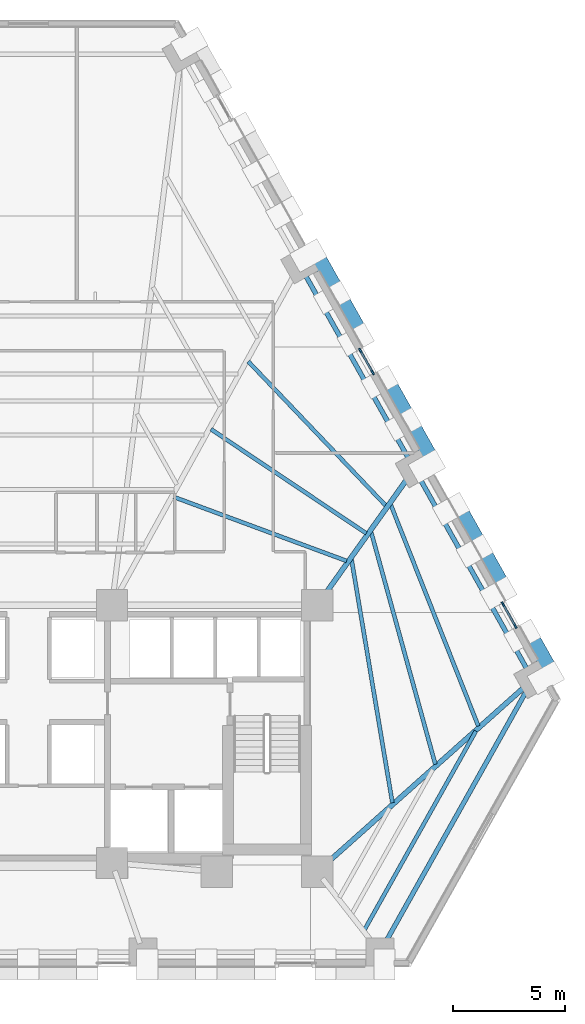
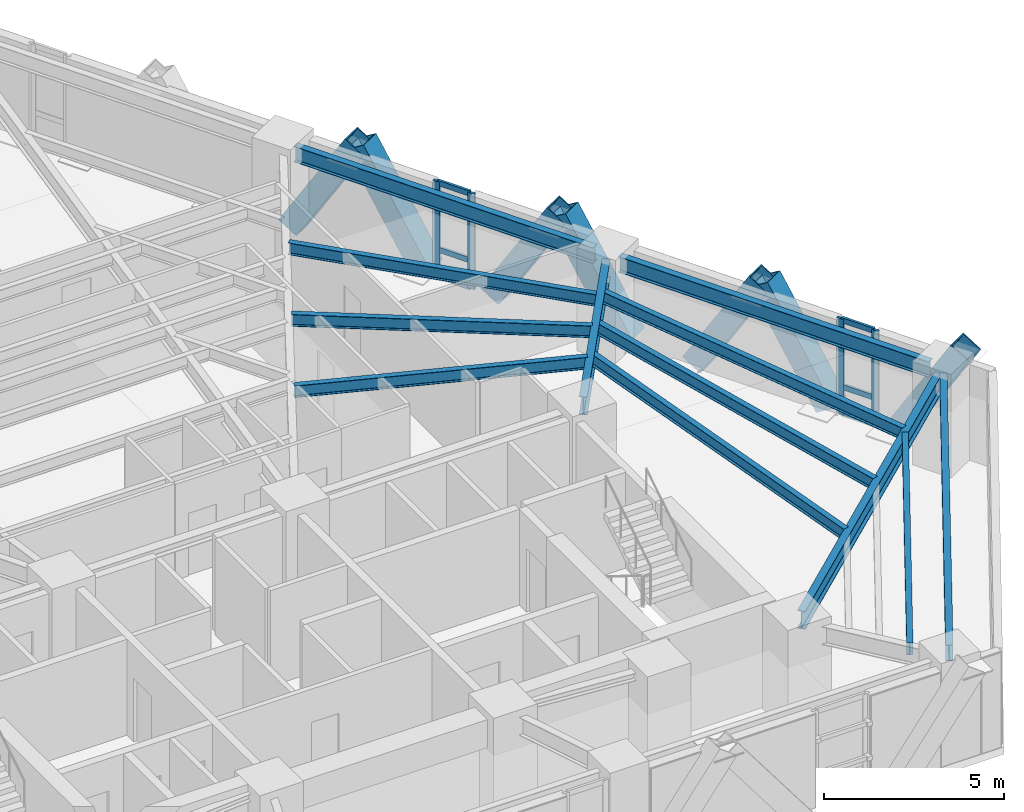
# One storey, part 4 of 13: 17 members, 12 beams, 2 elements without a shape of their own.
"""IFC4 building model written with IfcOpenShell, lengths in metres."""

import ifcopenshell
import ifcopenshell.guid

model = None  # the IFC model being written
_history = None  # IfcOwnerHistory: only IFC2X3 demands one
_inside = {}  # id of a spatial element -> (the spatial element, [elements in it])
_under = {}  # id of a project, library or spatial element -> (it, [spatial elements below it])
_declared = {}  # id of a project -> (the project, [libraries it declares])
_typed = {}  # id of a type object -> (the type object, [elements of that type])
_made_of = {}  # id of a material, layer set ... -> (it, [elements and type objects made of it])


def new_model(schema):
    """Start an empty IFC model of exactly this schema.

    Asked for "IFC4X3", IfcOpenShell would pick the latest addendum, in which some entities
    have other attributes; the version numbers below select the first issue.
    IFC2X3 requires an IfcOwnerHistory on every rooted entity: one is made here for all.
    """
    global model, _history
    if schema == "IFC4X3":
        model = ifcopenshell.file(schema_version=(4, 3, 0, 0))
    else:
        model = ifcopenshell.file(schema=schema)
    _inside.clear()
    _under.clear()
    _declared.clear()
    _typed.clear()
    _made_of.clear()
    _history = None
    if model.schema == "IFC2X3":
        org = make("IfcOrganization", Name="unknown")
        user = make(
            "IfcPersonAndOrganization",
            ThePerson=make("IfcPerson", FamilyName="unknown"),
            TheOrganization=org,
        )
        app = make(
            "IfcApplication",
            ApplicationDeveloper=org,
            Version="unknown",
            ApplicationFullName="unknown",
            ApplicationIdentifier="unknown",
        )
        _history = make(
            "IfcOwnerHistory",
            OwningUser=user,
            OwningApplication=app,
            ChangeAction="ADDED",
            CreationDate=0,
        )
    return model


def make(cls, **values):
    """One entity of the class cls with the attributes given. An attribute that is None is left unset."""
    return model.create_entity(
        cls, **{name: value for name, value in values.items() if value is not None}
    )


def rooted(cls, **values):
    """An entity with a GlobalId (a new one), such as an element, a storey or a relation."""
    return make(cls, GlobalId=ifcopenshell.guid.new(), OwnerHistory=_history, **values)


def si_unit(unit_type, name, prefix=None):
    """IfcSIUnit, for example si_unit("LENGTHUNIT", "METRE", prefix="MILLI")."""
    return make("IfcSIUnit", UnitType=unit_type, Prefix=prefix, Name=name)


def assignment(units):
    """IfcUnitAssignment: the units of a project."""
    return None if units is None else make("IfcUnitAssignment", Units=units)


def point(xyz):
    """IfcCartesianPoint."""
    return None if xyz is None else make("IfcCartesianPoint", Coordinates=xyz)


def direction(xyz):
    """IfcDirection."""
    return None if xyz is None else make("IfcDirection", DirectionRatios=xyz)


def frame(location, z_axis=None, x_axis=None):
    """IfcAxis2Placement3D, a coordinate frame: its origin and axes. An axis left out is left unset."""
    return make(
        "IfcAxis2Placement3D",
        Location=point(location),
        Axis=direction(z_axis),
        RefDirection=direction(x_axis),
    )


def frame_2d(location, x_axis=None):
    """IfcAxis2Placement2D, a coordinate frame in the plane: its origin and x axis."""
    return make(
        "IfcAxis2Placement2D", Location=point(location), RefDirection=direction(x_axis)
    )


def origin():
    """The frame at (0, 0, 0) with its axes left unset."""
    return frame((0.0, 0.0, 0.0))


def origin_2d():
    """The frame at (0, 0) in the plane with its x axis left unset."""
    return frame_2d((0.0, 0.0))


def place(relative_to, where):
    """IfcLocalPlacement: puts the frame where relative to a parent placement (None: the world)."""
    return make(
        "IfcLocalPlacement", PlacementRelTo=relative_to, RelativePlacement=where
    )


def context(
    kind, dimensions, precision=None, world=None, true_north=None, identifier=None
):
    """IfcGeometricRepresentationContext, for example the 3D "Model" context."""
    return make(
        "IfcGeometricRepresentationContext",
        ContextIdentifier=identifier,
        ContextType=kind,
        CoordinateSpaceDimension=dimensions,
        Precision=precision,
        WorldCoordinateSystem=world,
        TrueNorth=true_north,
    )


def subcontext(parent, identifier, kind, view, scale=None):
    """IfcGeometricRepresentationSubContext, for example "Body" below "Model"."""
    return make(
        "IfcGeometricRepresentationSubContext",
        ContextIdentifier=identifier,
        ContextType=kind,
        ParentContext=parent,
        TargetScale=scale,
        TargetView=view,
    )


def project(units=None, contexts=None):
    """IfcProject with its units and contexts."""
    return rooted(
        "IfcProject",
        Name="project",
        RepresentationContexts=contexts,
        UnitsInContext=assignment(units),
    )


def spatial(cls, under=None, at=None, **own):
    """A site, building, storey or space (cls), placed at a placement, below another one or the project."""
    s = rooted(cls, ObjectPlacement=at, **own)
    if under is not None:
        _under.setdefault(under.id(), (under, []))[1].append(s)
    return s


def profile(cls, at=None, kind="AREA", **sizes):
    """A parametric profile (cls). Its sizes go by their IFC names, for example OverallWidth=200.0."""
    return make(cls, ProfileType=kind, Position=at, **sizes)


def rectangle(**sizes):
    """IfcRectangleProfileDef."""
    return profile("IfcRectangleProfileDef", **sizes)


def hollow_rectangle(**sizes):
    """IfcRectangleHollowProfileDef."""
    return profile("IfcRectangleHollowProfileDef", **sizes)


def i_section(**sizes):
    """IfcIShapeProfileDef."""
    return profile("IfcIShapeProfileDef", **sizes)


def extrude(swept, where, along, depth):
    """IfcExtrudedAreaSolid: the profile swept, set in the frame where, extruded along a direction by depth."""
    return make(
        "IfcExtrudedAreaSolid",
        SweptArea=swept,
        Position=where,
        ExtrudedDirection=direction(along),
        Depth=depth,
    )


def shape(context_of_items, identifier, shape_type, items):
    """IfcShapeRepresentation: the items that make up one representation, for example the "Body"."""
    return make(
        "IfcShapeRepresentation",
        ContextOfItems=context_of_items,
        RepresentationIdentifier=identifier,
        RepresentationType=shape_type,
        Items=items,
    )


def material(Name=None, Category=None):
    """IfcMaterial."""
    return make("IfcMaterial", Name=Name, Category=Category)


def material_profile(
    of_material, cross_section, Name=None, Category=None, Priority=None
):
    """IfcMaterialProfile: a cross section and its material."""
    return make(
        "IfcMaterialProfile",
        Name=Name,
        Material=of_material,
        Profile=cross_section,
        Priority=Priority,
        Category=Category,
    )


def profile_set(profiles, Name=None, composite=None):
    """IfcMaterialProfileSet."""
    return make(
        "IfcMaterialProfileSet",
        Name=Name,
        MaterialProfiles=profiles,
        CompositeProfile=composite,
    )


def made_of(thing, what):
    """Note that an element or type object is made of a material, layer set ...; save() writes the relation."""
    if what is not None:
        _made_of.setdefault(what.id(), (what, []))[1].append(thing)
    return thing


def type_object(cls, material=None, **own):
    """A type object (cls), such as IfcWallType, which elements share."""
    return made_of(rooted(cls, **own), material)


def element(
    cls,
    number,
    at=None,
    inside=None,
    cuts=None,
    type_object=None,
    material=None,
    context=None,
    identifier="Body",
    shape_type=None,
    held_by="IfcProductDefinitionShape",
    body=None,
    shapes=None,
    **own,
):
    """One element of the class cls, such as IfcWall. Its Tag is "e" and its number.

    at: its placement. inside: the storey or other place that contains it. cuts: it is an
    opening in that element (IfcRelVoidsElement). A single representation is given by context,
    identifier, shape_type and body (its items); several are given by shapes. held_by: the class
    of the entity that holds the representations. save() writes the other relations.
    """
    e = rooted(cls, Tag="e%d" % number, ObjectPlacement=at, **own)
    if body is not None:
        shapes = [shape(context, identifier, shape_type, body)]
    if shapes is not None:
        e.Representation = make(held_by, Representations=shapes)
    if inside is not None:
        _inside.setdefault(inside.id(), (inside, []))[1].append(e)
    if cuts is not None:
        rooted(
            "IfcRelVoidsElement", RelatingBuildingElement=cuts, RelatedOpeningElement=e
        )
    if type_object is not None:
        _typed.setdefault(type_object.id(), (type_object, []))[1].append(e)
    return made_of(e, material)


def aggregate(whole, parts):
    """IfcRelAggregates: a whole, such as a stair, and the parts it consists of."""
    return rooted("IfcRelAggregates", RelatingObject=whole, RelatedObjects=parts)


def save(model, path):
    """Write the relations noted so far, then the file.

    IfcRelAggregates (storeys below a building ...), IfcRelContainedInSpatialStructure (elements
    in a storey), IfcRelDefinesByType, IfcRelAssociatesMaterial and IfcRelDeclares: one each for
    every whole, place, type object, material and project.
    """
    for whole, parts in _under.values():
        aggregate(whole, parts)
    for where, things in _inside.values():
        rooted(
            "IfcRelContainedInSpatialStructure",
            RelatedElements=things,
            RelatingStructure=where,
        )
    for kind, things in _typed.values():
        rooted("IfcRelDefinesByType", RelatedObjects=things, RelatingType=kind)
    for what, things in _made_of.values():
        rooted("IfcRelAssociatesMaterial", RelatedObjects=things, RelatingMaterial=what)
    for by, libraries in _declared.values():
        rooted("IfcRelDeclares", RelatingContext=by, RelatedDefinitions=libraries)
    model.write(path)


model = new_model("IFC4")

# Units and contexts
model_context = context("Model", 3, precision=1e-05, world=origin(), true_north=direction((0.0, 1.0)))
body_context = subcontext(model_context, "Body", "Model", "MODEL_VIEW")
ifc_project = project(units=[si_unit("LENGTHUNIT", "METRE"), si_unit("AREAUNIT", "SQUARE_METRE"), si_unit("VOLUMEUNIT", "CUBIC_METRE"), si_unit("PLANEANGLEUNIT", "RADIAN"), si_unit("MASSUNIT", "GRAM", prefix="KILO")], contexts=[model_context])

# Site, building, storey
site_placement = place(None, origin())
site = spatial("IfcSite", under=ifc_project, at=site_placement, CompositionType="ELEMENT")
building_placement = place(site_placement, origin())
building = spatial("IfcBuilding", under=site, at=building_placement, Name="Quenlor Broadcast Tower", CompositionType="ELEMENT")
storey_placement = place(building_placement, frame((0.0, 0.0, 55.60009765625)))
storey = spatial("IfcBuildingStorey", under=building, at=storey_placement, Name="L14", CompositionType="ELEMENT", Elevation=55.60009765625)

# Curtain wall, members
ifc_material_1 = material(Name="Architectural Terracotta and Low-E Glazing", Category="masonry")
curtain_wall_type = type_object("IfcCurtainWallType", Name="Unitised Terracotta Curtain Wall System Z1", PredefinedType="NOTDEFINED", material=ifc_material_1)
curtain_wall_1_placement = place(storey_placement, origin())
curtain_wall_1 = element("IfcCurtainWall", 1, at=curtain_wall_1_placement, inside=storey, type_object=curtain_wall_type, Name="L14 Curtain Wall CW1 (L14-NEC-G1)", PredefinedType="NOTDEFINED")
ifc_material_2 = material(Name="Aluminium 6063-T6", Category="aluminium")
ifc_material_profile_1 = material_profile(ifc_material_2, rectangle(XDim=0.080078125, YDim=0.219970703125, at=origin_2d()))
ifc_profile_set_1 = profile_set([ifc_material_profile_1], Name="Aluminium 6063-T6 MULL80x220")
member_type_1 = type_object("IfcMemberType", Name="CW1 Aluminium Mullion MULL_CW1", PredefinedType="MULLION", material=ifc_profile_set_1)
member_1_placement = place(storey_placement, frame((21.277587890625, -4.75341796875, 0.0), z_axis=(0.0, 0.0, 1.0), x_axis=(0.871602077703, 0.490214053392, 0.0)))
member_1 = element("IfcMember", 2, at=member_1_placement, type_object=member_type_1, Name="CW1 mullion 1", PredefinedType="MULLION", context=body_context, shape_type="SweptSolid", body=[
    extrude(rectangle(XDim=0.080078125, YDim=0.219970703125, at=origin_2d()), origin(), (0.0, 0.0, 1.0), 3.25),
])
member_2_placement = place(storey_placement, frame((21.830322265625, -5.736083984375, 0.0), z_axis=(0.0, 0.0, 1.0), x_axis=(0.871602077703, 0.490214053392, 0.0)))
member_2 = element("IfcMember", 3, at=member_2_placement, type_object=member_type_1, Name="CW1 mullion 2", PredefinedType="MULLION", context=body_context, shape_type="SweptSolid", body=[
    extrude(rectangle(XDim=0.080078125, YDim=0.219970703125, at=origin_2d()), origin(), (0.0, 0.0, 1.0), 3.25),
])

curtain_wall_2_placement = place(storey_placement, origin())
curtain_wall_2 = element("IfcCurtainWall", 4, at=curtain_wall_2_placement, inside=storey, type_object=curtain_wall_type, Name="L14 Curtain Wall CW1 (L14-NE-G1)", PredefinedType="NOTDEFINED")
member_3_placement = place(storey_placement, frame((14.884033203125, 6.613037109375, 0.0), z_axis=(0.0, 0.0, 1.0), x_axis=(0.871566690057, 0.49027696742, 0.0)))
member_3 = element("IfcMember", 5, at=member_3_placement, type_object=member_type_1, Name="CW1 mullion 1", PredefinedType="MULLION", context=body_context, shape_type="SweptSolid", body=[
    extrude(rectangle(XDim=0.080078125, YDim=0.219970703125, at=origin_2d()), origin(), (0.0, 0.0, 1.0), 3.25),
])
member_4_placement = place(storey_placement, frame((15.436767578125, 5.63037109375, 0.0), z_axis=(0.0, 0.0, 1.0), x_axis=(0.871566690057, 0.49027696742, 0.0)))
member_4 = element("IfcMember", 6, at=member_4_placement, type_object=member_type_1, Name="CW1 mullion 2", PredefinedType="MULLION", context=body_context, shape_type="SweptSolid", body=[
    extrude(rectangle(XDim=0.080078125, YDim=0.219970703125, at=origin_2d()), origin(), (0.0, 0.0, 1.0), 3.25),
])

# Member
ifc_material_3 = material(Name="Aluminium 6063-T6", Category="aluminium")
ifc_material_profile_2 = material_profile(ifc_material_3, rectangle(XDim=0.080078125, YDim=0.179931640625, at=origin_2d()))
ifc_profile_set_2 = profile_set([ifc_material_profile_2], Name="Aluminium 6063-T6 TRAN80x180")
member_type_2 = type_object("IfcMemberType", Name="CW1 Aluminium Transom TRAN_CW1", PredefinedType="USERDEFINED", material=ifc_profile_set_2)
member_5_placement = place(storey_placement, frame((21.29736328125, -4.788330078125, 0.039794921875), z_axis=(0.490228036821, -0.871594212874, 0.0), x_axis=(0.871594212874, 0.490228036821, 0.0)))
member_5 = element("IfcMember", 7, at=member_5_placement, type_object=member_type_2, Name="CW1 transom 1.1", ObjectType="TRANSOM", PredefinedType="USERDEFINED", context=body_context, shape_type="SweptSolid", body=[
    extrude(rectangle(XDim=0.080078125, YDim=0.179931640625, at=origin_2d()), origin(), (0.0, 0.0, 1.0), 1.04736328125),
])

member_6_placement = place(storey_placement, frame((21.29736328125, -4.788330078125, 0.949951171875), z_axis=(0.490228036821, -0.871594212874, 0.0), x_axis=(0.871594212874, 0.490228036821, 0.0)))
member_6 = element("IfcMember", 8, at=member_6_placement, type_object=member_type_2, Name="CW1 transom 1.2", ObjectType="TRANSOM", PredefinedType="USERDEFINED", context=body_context, shape_type="SweptSolid", body=[
    extrude(rectangle(XDim=0.080078125, YDim=0.179931640625, at=origin_2d()), origin(), (0.0, 0.0, 1.0), 1.04736328125),
])

member_7_placement = place(storey_placement, frame((21.29736328125, -4.788330078125, 3.2099609375), z_axis=(0.490228036821, -0.871594212874, 0.0), x_axis=(0.871594212874, 0.490228036821, 0.0)))
member_7 = element("IfcMember", 9, at=member_7_placement, type_object=member_type_2, Name="CW1 transom 1.3", ObjectType="TRANSOM", PredefinedType="USERDEFINED", context=body_context, shape_type="SweptSolid", body=[
    extrude(rectangle(XDim=0.080078125, YDim=0.179931640625, at=origin_2d()), origin(), (0.0, 0.0, 1.0), 1.04736328125),
])

aggregate(curtain_wall_1, [member_1, member_2, member_5, member_6, member_7])

member_8_placement = place(storey_placement, frame((14.90380859375, 6.578125, 0.039794921875), z_axis=(0.490128451098, -0.87165021736, 0.0), x_axis=(0.87165021736, 0.490128451098, 0.0)))
member_8 = element("IfcMember", 10, at=member_8_placement, type_object=member_type_2, Name="CW1 transom 1.1", ObjectType="TRANSOM", PredefinedType="USERDEFINED", context=body_context, shape_type="SweptSolid", body=[
    extrude(rectangle(XDim=0.080078125, YDim=0.179931640625, at=origin_2d()), origin(), (0.0, 0.0, 1.0), 1.047607421875),
])

member_9_placement = place(storey_placement, frame((14.90380859375, 6.578125, 0.949951171875), z_axis=(0.490128451098, -0.87165021736, 0.0), x_axis=(0.87165021736, 0.490128451098, 0.0)))
member_9 = element("IfcMember", 11, at=member_9_placement, type_object=member_type_2, Name="CW1 transom 1.2", ObjectType="TRANSOM", PredefinedType="USERDEFINED", context=body_context, shape_type="SweptSolid", body=[
    extrude(rectangle(XDim=0.080078125, YDim=0.179931640625, at=origin_2d()), origin(), (0.0, 0.0, 1.0), 1.047607421875),
])

member_10_placement = place(storey_placement, frame((14.90380859375, 6.578125, 3.2099609375), z_axis=(0.490128451098, -0.87165021736, 0.0), x_axis=(0.87165021736, 0.490128451098, 0.0)))
member_10 = element("IfcMember", 12, at=member_10_placement, type_object=member_type_2, Name="CW1 transom 1.3", ObjectType="TRANSOM", PredefinedType="USERDEFINED", context=body_context, shape_type="SweptSolid", body=[
    extrude(rectangle(XDim=0.080078125, YDim=0.179931640625, at=origin_2d()), origin(), (0.0, 0.0, 1.0), 1.047607421875),
])

aggregate(curtain_wall_2, [member_3, member_4, member_8, member_9, member_10])

# Members
ifc_material_4 = material(Name="Steel S355", Category="steel")
ifc_material_profile_3 = material_profile(ifc_material_4, hollow_rectangle(XDim=0.679931640625, YDim=0.679931640625, WallThickness=0.034912109375, at=origin_2d()))
ifc_profile_set_3 = profile_set([ifc_material_profile_3], Name="Steel S355 RHS680x680x35")
member_type_3 = type_object("IfcMemberType", Name="Perimeter Diagonal Lattice Brace Z1 Steel S355 RHS680x35", PredefinedType="BRACE", material=ifc_profile_set_3)
for number, where, z_axis, x_axis, name in (
    (13, (12.84716796875, 11.039794921875, -0.1201171875), (0.256375341489, -0.45579159737, 0.852364771705), (0.871581609758, 0.490250443683, 0.0), "L14 Perimeter Diamond Lattice NE-C2S"),
    (14, (16.0439453125, 5.356689453125, -0.1201171875), (0.256375341489, -0.45579159737, 0.852364771705), (0.871581609758, 0.490250443683, 0.0), "L14 Perimeter Diamond Lattice NE-C3S"),
):
    element("IfcMember", number, at=place(storey_placement, frame(where, z_axis=z_axis, x_axis=x_axis)), inside=storey, type_object=member_type_3, Name=name, PredefinedType="BRACE", context=body_context, shape_type="SweptSolid", body=[
        extrude(hollow_rectangle(XDim=0.679931640625, YDim=0.679931640625, WallThickness=0.034912109375, at=origin_2d()), origin(), (0.0, 0.0, 1.0), 4.106201171875),
    ])
member_11_placement = place(storey_placement, frame((14.965576171875, 7.273681640625, -0.1201171875), z_axis=(-0.256368393635, 0.455838699906, 0.852341672343), x_axis=(-0.871608931644, -0.490201866865, 0.0)))
element("IfcMember", 15, at=member_11_placement, inside=storey, type_object=member_type_3, Name="L14 Perimeter Diamond Lattice NE-C3B", PredefinedType="BRACE", context=body_context, shape_type="SweptSolid", body=[
    extrude(hollow_rectangle(XDim=0.679931640625, YDim=0.679931640625, WallThickness=0.034912109375, at=origin_2d()), origin(), (0.0, 0.0, 1.0), 4.1064453125),
])
for number, where, z_axis, x_axis, name in (
    (16, (19.24072265625, -0.326416015625, -0.1201171875), (0.256375341489, -0.45579159737, 0.852364771705), (0.871581609758, 0.490250443683, 0.0), "L14 Perimeter Diamond Lattice NE-C4S"),
    (17, (18.162353515625, 1.5908203125, -0.1201171875), (-0.256375341489, 0.45579159737, 0.852364771705), (-0.871581609758, -0.490250443683, 0.0), "L14 Perimeter Diamond Lattice NE-C4B"),
):
    element("IfcMember", number, at=place(storey_placement, frame(where, z_axis=z_axis, x_axis=x_axis)), inside=storey, type_object=member_type_3, Name=name, PredefinedType="BRACE", context=body_context, shape_type="SweptSolid", body=[
        extrude(hollow_rectangle(XDim=0.679931640625, YDim=0.679931640625, WallThickness=0.034912109375, at=origin_2d()), origin(), (0.0, 0.0, 1.0), 4.106201171875),
    ])
member_12_placement = place(storey_placement, frame((22.4375, -6.009521484375, -0.1201171875), z_axis=(0.256368393635, -0.455838699906, 0.852341672343), x_axis=(0.871608931644, 0.490201866865, 0.0)))
element("IfcMember", 18, at=member_12_placement, inside=storey, type_object=member_type_3, Name="L14 Perimeter Diamond Lattice NE-C5S", PredefinedType="BRACE", context=body_context, shape_type="SweptSolid", body=[
    extrude(hollow_rectangle(XDim=0.679931640625, YDim=0.679931640625, WallThickness=0.034912109375, at=origin_2d()), origin(), (0.0, 0.0, 1.0), 4.1064453125),
])
member_13_placement = place(storey_placement, frame((21.359130859375, -4.092529296875, -0.1201171875), z_axis=(-0.256375341489, 0.45579159737, 0.852364771705), x_axis=(-0.871581609758, -0.490250443683, 0.0)))
element("IfcMember", 19, at=member_13_placement, inside=storey, type_object=member_type_3, Name="L14 Perimeter Diamond Lattice NE-C5B", PredefinedType="BRACE", context=body_context, shape_type="SweptSolid", body=[
    extrude(hollow_rectangle(XDim=0.679931640625, YDim=0.679931640625, WallThickness=0.034912109375, at=origin_2d()), origin(), (0.0, 0.0, 1.0), 4.106201171875),
])

# Beams
ifc_material_5 = material(Name="Steel S355", Category="steel")
ifc_material_profile_4 = material_profile(ifc_material_5, i_section(OverallWidth=0.208984375, OverallDepth=0.532958984375, WebThickness=0.01025390625, FlangeThickness=0.015625, FilletRadius=0.013916015625, at=origin_2d()))
ifc_profile_set_4 = profile_set([ifc_material_profile_4], Name="Steel S355 530UB92.4")
beam_type_1 = type_object("IfcBeamType", Name="Perimeter Spandrel Beam Z1 Steel S355 530UB92.4", PredefinedType="SPANDREL", material=ifc_profile_set_4)
beam_1_placement = place(storey_placement, frame((15.965576171875, -19.992431640625, 2.9833984375), z_axis=(0.489090917871, 0.87223280955, 0.0), x_axis=(-0.87223280955, 0.489090917871, 0.0)))
element("IfcBeam", 20, at=beam_1_placement, inside=storey, type_object=beam_type_1, Name="L14 Spandrel Beam S4-NE1", PredefinedType="SPANDREL", context=body_context, shape_type="SweptSolid", body=[
    extrude(i_section(OverallWidth=0.208984375, OverallDepth=0.532958984375, WebThickness=0.01025390625, FlangeThickness=0.015625, FilletRadius=0.013916015625, at=origin_2d()), origin(), (0.0, 0.0, 1.0), 13.187744140625),
])
beam_2_placement = place(storey_placement, frame((22.4150390625, -7.77490234375, 2.9833984375), z_axis=(-0.490257767622, 0.871577490121, 0.0), x_axis=(-0.871577490121, -0.490257767622, 0.0)))
element("IfcBeam", 21, at=beam_2_placement, inside=storey, type_object=beam_type_1, Name="L14 Spandrel Beam NE1-NE2", PredefinedType="SPANDREL", context=body_context, shape_type="SweptSolid", body=[
    extrude(i_section(OverallWidth=0.208984375, OverallDepth=0.532958984375, WebThickness=0.01025390625, FlangeThickness=0.015625, FilletRadius=0.013916015625, at=origin_2d()), origin(), (0.0, 0.0, 1.0), 10.015380859375),
])
beam_3_placement = place(storey_placement, frame((17.102783203125, 1.6689453125, 2.9833984375), z_axis=(-0.490257642051, 0.871577560755, 0.0), x_axis=(-0.871577560755, -0.490257642051, 0.0)))
element("IfcBeam", 22, at=beam_3_placement, inside=storey, type_object=beam_type_1, Name="L14 Spandrel Beam NE2-NE3", PredefinedType="SPANDREL", context=body_context, shape_type="SweptSolid", body=[
    extrude(i_section(OverallWidth=0.208984375, OverallDepth=0.532958984375, WebThickness=0.01025390625, FlangeThickness=0.015625, FilletRadius=0.013916015625, at=origin_2d()), origin(), (0.0, 0.0, 1.0), 9.665771484375),
])
ifc_material_6 = material(Name="Steel S355", Category="steel")
ifc_material_profile_5 = material_profile(ifc_material_6, i_section(OverallWidth=0.177978515625, OverallDepth=0.406494140625, WebThickness=0.0078125, FlangeThickness=0.0126953125, FilletRadius=0.011474609375, at=origin_2d()))
ifc_profile_set_5 = profile_set([ifc_material_profile_5], Name="Steel S355 410UB59.7")
beam_type_2 = type_object("IfcBeamType", Name="Tower Composite Joist Z1 Steel S355 410UB59.7", PredefinedType="JOIST", material=ifc_profile_set_5)
beam_4_placement = place(storey_placement, frame((14.268310546875, -2.81640625, 3.046630859375), z_axis=(-0.937824633945, 0.347109429383, 0.0), x_axis=(-0.347109429383, -0.937824633945, 0.0)))
element("IfcBeam", 23, at=beam_4_placement, inside=storey, type_object=beam_type_2, Name="L14 Secondary Composite Joist 10", PredefinedType="JOIST", context=body_context, shape_type="SweptSolid", body=[
    extrude(i_section(OverallWidth=0.177978515625, OverallDepth=0.406494140625, WebThickness=0.0078125, FlangeThickness=0.0126953125, FilletRadius=0.011474609375, at=origin_2d()), origin(), (0.0, 0.0, 1.0), 8.26513671875),
])
beam_5_placement = place(storey_placement, frame((15.147705078125, -1.577392578125, 3.046630859375), z_axis=(-0.830625844363, 0.556830949819, 0.0), x_axis=(-0.556830949819, -0.830625844363, 0.0)))
element("IfcBeam", 24, at=beam_5_placement, inside=storey, type_object=beam_type_2, Name="L14 Secondary Composite Joist 11", PredefinedType="JOIST", context=body_context, shape_type="SweptSolid", body=[
    extrude(i_section(OverallWidth=0.177978515625, OverallDepth=0.406494140625, WebThickness=0.0078125, FlangeThickness=0.0126953125, FilletRadius=0.011474609375, at=origin_2d()), origin(), (0.0, 0.0, 1.0), 8.374755859375),
])
beam_6_placement = place(storey_placement, frame((16.029541015625, -0.341796875, 3.046630859375), z_axis=(-0.690241086162, 0.723579465556, 0.0), x_axis=(-0.723579465556, -0.690241086162, 0.0)))
element("IfcBeam", 25, at=beam_6_placement, inside=storey, type_object=beam_type_2, Name="L14 Secondary Composite Joist 12", PredefinedType="JOIST", context=body_context, shape_type="SweptSolid", body=[
    extrude(i_section(OverallWidth=0.177978515625, OverallDepth=0.406494140625, WebThickness=0.0078125, FlangeThickness=0.0126953125, FilletRadius=0.011474609375, at=origin_2d()), origin(), (0.0, 0.0, 1.0), 8.93408203125),
])
beam_7_placement = place(storey_placement, frame((16.31982421875, -13.65478515625, 3.046630859375), z_axis=(-0.16559360599, 0.986194077074, 0.0), x_axis=(-0.986194077074, -0.16559360599, 0.0)))
element("IfcBeam", 26, at=beam_7_placement, inside=storey, type_object=beam_type_2, Name="L14 Secondary Composite Joist 16", PredefinedType="JOIST", context=body_context, shape_type="SweptSolid", body=[
    extrude(i_section(OverallWidth=0.177978515625, OverallDepth=0.406494140625, WebThickness=0.0078125, FlangeThickness=0.0126953125, FilletRadius=0.011474609375, at=origin_2d()), origin(), (0.0, 0.0, 1.0), 11.06787109375),
])
beam_8_placement = place(storey_placement, frame((18.2451171875, -11.93310546875, 3.046630859375), z_axis=(-0.266390054368, 0.963865311615, 0.0), x_axis=(-0.963865311615, -0.266390054368, 0.0)))
element("IfcBeam", 27, at=beam_8_placement, inside=storey, type_object=beam_type_2, Name="L14 Secondary Composite Joist 17", PredefinedType="JOIST", context=body_context, shape_type="SweptSolid", body=[
    extrude(i_section(OverallWidth=0.177978515625, OverallDepth=0.406494140625, WebThickness=0.0078125, FlangeThickness=0.0126953125, FilletRadius=0.011474609375, at=origin_2d()), origin(), (0.0, 0.0, 1.0), 10.80810546875),
])
beam_9_placement = place(storey_placement, frame((20.170166015625, -10.212158203125, 3.046630859375), z_axis=(-0.367884833597, 0.929871361646, 0.0), x_axis=(-0.929871361646, -0.367884833597, 0.0)))
element("IfcBeam", 28, at=beam_9_placement, inside=storey, type_object=beam_type_2, Name="L14 Secondary Composite Joist 18", PredefinedType="JOIST", context=body_context, shape_type="SweptSolid", body=[
    extrude(i_section(OverallWidth=0.177978515625, OverallDepth=0.406494140625, WebThickness=0.0078125, FlangeThickness=0.0126953125, FilletRadius=0.011474609375, at=origin_2d()), origin(), (0.0, 0.0, 1.0), 10.669921875),
])
beam_10_placement = place(storey_placement, frame((15.072265625, -19.34423828125, 3.046630859375), z_axis=(0.489081877778, 0.872237878579, 0.0), x_axis=(-0.872237878579, 0.489081877778, 0.0)))
element("IfcBeam", 29, at=beam_10_placement, inside=storey, type_object=beam_type_2, Name="L14 Secondary Composite Joist 24", PredefinedType="JOIST", context=body_context, shape_type="SweptSolid", body=[
    extrude(i_section(OverallWidth=0.177978515625, OverallDepth=0.406494140625, WebThickness=0.0078125, FlangeThickness=0.0126953125, FilletRadius=0.011474609375, at=origin_2d()), origin(), (0.0, 0.0, 1.0), 10.205810546875),
])
ifc_material_7 = material(Name="Steel S355", Category="steel")
ifc_material_profile_6 = material_profile(ifc_material_7, i_section(OverallWidth=0.22900390625, OverallDepth=0.611572265625, WebThickness=0.011962890625, FlangeThickness=0.01953125, FilletRadius=0.013916015625, at=origin_2d()))
ifc_profile_set_6 = profile_set([ifc_material_profile_6], Name="Steel S355 610UB125")
beam_type_3 = type_object("IfcBeamType", Name="Tower Primary Floor Beam Z1 Steel S355 610UB125", PredefinedType="BEAM", material=ifc_profile_set_6)
beam_11_placement = place(storey_placement, frame((22.31005859375, -8.40478515625, 2.944091796875), z_axis=(-0.746413754585, -0.665482161268, 0.0), x_axis=(0.665482161268, -0.746413754585, 0.0)))
element("IfcBeam", 30, at=beam_11_placement, inside=storey, type_object=beam_type_3, Name="L14 Primary Radial Beam NE1", PredefinedType="BEAM", context=body_context, shape_type="SweptSolid", body=[
    extrude(i_section(OverallWidth=0.22900390625, OverallDepth=0.611572265625, WebThickness=0.011962890625, FlangeThickness=0.01953125, FilletRadius=0.013916015625, at=origin_2d()), origin(), (0.0, 0.0, 1.0), 12.159912109375),
])
beam_12_placement = place(storey_placement, frame((17.06591796875, 0.977783203125, 2.944091796875), z_axis=(-0.580212680853, -0.814465005373, 0.0), x_axis=(0.814465005373, -0.580212680853, 0.0)))
element("IfcBeam", 31, at=beam_12_placement, inside=storey, type_object=beam_type_3, Name="L14 Primary Radial Beam NE2", PredefinedType="BEAM", context=body_context, shape_type="SweptSolid", body=[
    extrude(i_section(OverallWidth=0.22900390625, OverallDepth=0.611572265625, WebThickness=0.011962890625, FlangeThickness=0.01953125, FilletRadius=0.013916015625, at=origin_2d()), origin(), (0.0, 0.0, 1.0), 6.7138671875),
])

save(model, "model.ifc")
